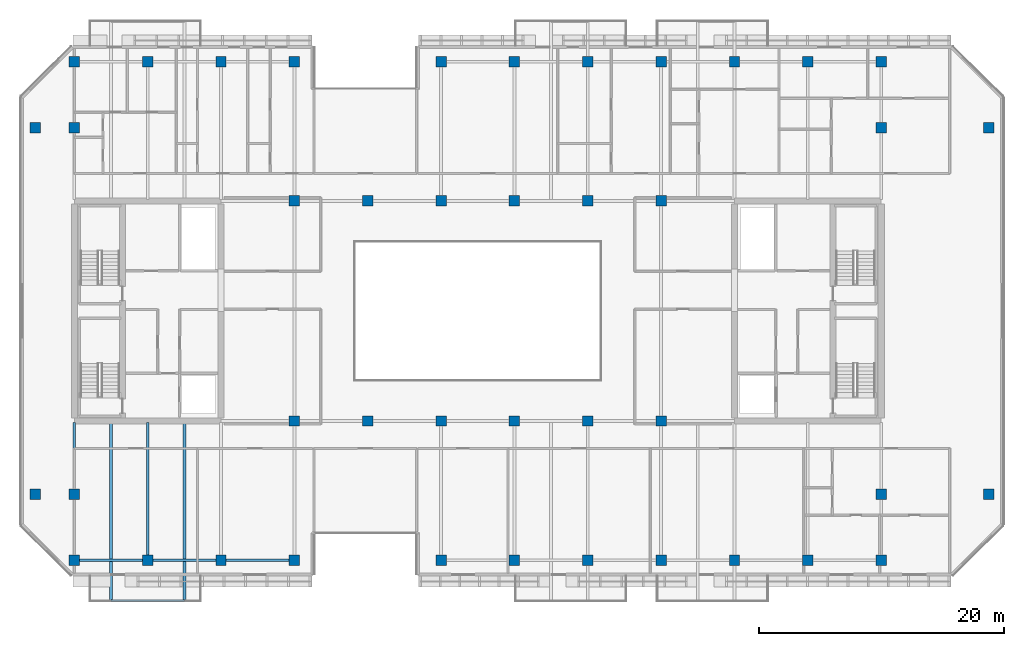
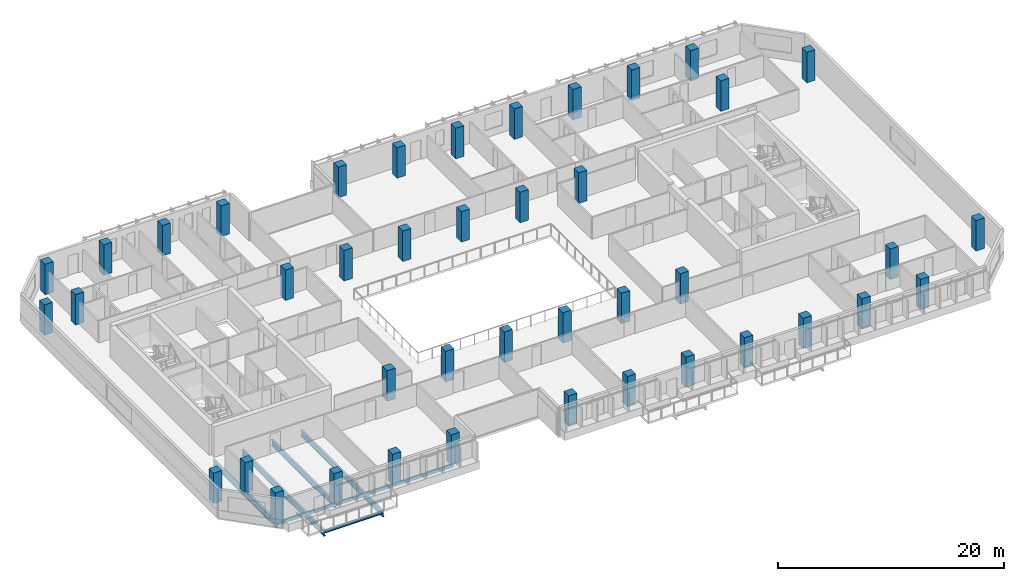
# One storey, part 1 of 19: 42 columns, 8 beams.
"""IFC4 building model written with IfcOpenShell, lengths in metres."""

from ifc_helpers import new_model, si_unit, direction, frame, origin, origin_2d, place, context, subcontext, project, spatial, rectangle, hollow_rectangle, i_section, extrude, material, material_profile, profile_set, type_object, element, save


model = new_model("IFC4")

# Units and contexts
model_context = context("Model", 3, precision=1e-05, world=origin(), true_north=direction((0.0, 1.0)))
body_context = subcontext(model_context, "Body", "Model", "MODEL_VIEW")
ifc_project = project(units=[si_unit("LENGTHUNIT", "METRE"), si_unit("AREAUNIT", "SQUARE_METRE"), si_unit("VOLUMEUNIT", "CUBIC_METRE"), si_unit("PLANEANGLEUNIT", "RADIAN"), si_unit("MASSUNIT", "GRAM", prefix="KILO")], contexts=[model_context])

# Site, building, storey
site_placement = place(None, origin())
site = spatial("IfcSite", under=ifc_project, at=site_placement, CompositionType="ELEMENT")
building_placement = place(site_placement, origin())
building = spatial("IfcBuilding", under=site, at=building_placement, Name="Tanjung Sevakor Pilgrim Tower", CompositionType="ELEMENT")
storey_placement = place(building_placement, frame((0.0, 0.0, 155.10009765625)))
storey = spatial("IfcBuildingStorey", under=building, at=storey_placement, Name="L43", CompositionType="ELEMENT", Elevation=155.10009765625)

# Columns
ifc_material_1 = material(Name="Concrete C60/75", Category="concrete")
ifc_material_profile_1 = material_profile(ifc_material_1, rectangle(XDim=0.85009765625, YDim=0.85009765625, at=origin_2d()))
ifc_profile_set_1 = profile_set([ifc_material_profile_1], Name="Concrete C60/75")
column_type = type_object("IfcColumnType", Name="COL-C-T850-RC_850x850", PredefinedType="COLUMN", material=ifc_profile_set_1)
for number, where, z_axis, x_axis, name in (
    (1, (42.0, 24.60009765625, 0.0), (0.0, 0.0, 1.0), (1.0, 0.0, 0.0), "L43 Column SPW-042-246"),
    (2, (42.0, 42.60009765625, 0.0), (0.0, 0.0, 1.0), (1.0, 0.0, 0.0), "L43 Column SPW-042-426"),
    (3, (48.0, 24.60009765625, 0.0), (0.0, 0.0, 1.0), (1.0, 0.0, 0.0), "L43 Column SPW-048-246"),
    (4, (48.0, 42.60009765625, 0.0), (0.0, 0.0, 1.0), (1.0, 0.0, 0.0), "L43 Column SPW-048-426"),
    (5, (54.0, 24.60009765625, 0.0), (0.0, 0.0, 1.0), (1.0, 0.0, 0.0), "L43 Column SPE-054-246"),
    (6, (54.0, 42.60009765625, 0.0), (0.0, 0.0, 1.0), (1.0, 0.0, 0.0), "L43 Column SPE-054-426"),
    (7, (60.0, 24.60009765625, 0.0), (0.0, 0.0, 1.0), (1.0, 0.0, 0.0), "L43 Column SPE-060-246"),
    (8, (60.0, 42.60009765625, 0.0), (0.0, 0.0, 1.0), (1.0, 0.0, 0.0), "L43 Column SPE-060-426"),
    (9, (66.0, 24.60009765625, 0.0), (0.0, 0.0, 1.0), (1.0, 0.0, 0.0), "L43 Column SPE-066-246"),
    (10, (66.0, 42.60009765625, 0.0), (0.0, 0.0, 1.0), (1.0, 0.0, 0.0), "L43 Column SPE-066-426"),
    (11, (72.0, 24.60009765625, 0.0), (0.0, 0.0, 1.0), (1.0, 0.0, 0.0), "L43 Column SPE-072-246"),
    (12, (72.0, 42.60009765625, 0.0), (0.0, 0.0, 1.0), (1.0, 0.0, 0.0), "L43 Column SPE-072-426"),
    (13, (20.800048828125, 18.60009765625, 0.0), (0.0, 0.0, 1.0), (1.0, 0.0, 0.0), "L43 Column TCE-0208-186"),
    (14, (20.800048828125, 48.60009765625, 0.0), (0.0, 0.0, 1.0), (1.0, 0.0, 0.0), "L43 Column TCE-0208-486"),
    (15, (24.0, 18.60009765625, 0.0), (0.0, 0.0, 1.0), (1.0, 0.0, 0.0), "L43 Column TCE-0240-186"),
    (16, (24.0, 48.60009765625, 0.0), (0.0, 0.0, 1.0), (1.0, 0.0, 0.0), "L43 Column TCE-0240-486"),
    (17, (90.0, 18.60009765625, 0.0), (0.0, 0.0, 1.0), (1.0, 0.0, 0.0), "L43 Column TCE-0900-186"),
    (18, (90.0, 48.60009765625, 0.0), (0.0, 0.0, 1.0), (1.0, 0.0, 0.0), "L43 Column TCE-0900-486"),
    (19, (98.800048828125, 18.60009765625, 0.0), (0.0, 0.0, 1.0), (1.0, 0.0, 0.0), "L43 Column TCE-0988-186"),
    (20, (98.800048828125, 48.60009765625, 0.0), (0.0, 0.0, 1.0), (1.0, 0.0, 0.0), "L43 Column TCE-0988-486"),
    (21, (24.0, 13.199951171875, 0.0), (0.0, 0.0, 1.0), (1.0, 0.0, 0.0), "L43 Column TC3-024-132"),
    (22, (24.0, 54.0, 0.0), (0.0, 0.0, 1.0), (1.0, 0.0, 0.0), "L43 Column TC3-024-540"),
    (23, (30.0, 13.199951171875, 0.0), (0.0, 0.0, 1.0), (1.0, 0.0, 0.0), "L43 Column TC3-030-132"),
    (24, (30.0, 54.0, 0.0), (0.0, 0.0, 1.0), (1.0, 0.0, 0.0), "L43 Column TC3-030-540"),
    (25, (36.0, 13.199951171875, 0.0), (0.0, 0.0, 1.0), (1.0, 0.0, 0.0), "L43 Column TC3-036-132"),
    (26, (36.0, 54.0, 0.0), (0.0, 0.0, 1.0), (1.0, 0.0, 0.0), "L43 Column TC3-036-540"),
    (27, (42.0, 13.199951171875, 0.0), (0.0, 0.0, 1.0), (1.0, 0.0, 0.0), "L43 Column TC3-042-132"),
    (28, (42.0, 54.0, 0.0), (0.0, 0.0, 1.0), (1.0, 0.0, 0.0), "L43 Column TC3-042-540"),
    (29, (54.0, 13.199951171875, 0.0), (0.0, 0.0, 1.0), (1.0, 0.0, 0.0), "L43 Column TC3-054-132"),
    (30, (54.0, 54.0, 0.0), (0.0, 0.0, 1.0), (1.0, 0.0, 0.0), "L43 Column TC3-054-540"),
    (31, (60.0, 13.199951171875, 0.0), (0.0, 0.0, 1.0), (1.0, 0.0, 0.0), "L43 Column TC3-060-132"),
    (32, (60.0, 54.0, 0.0), (0.0, 0.0, 1.0), (1.0, 0.0, 0.0), "L43 Column TC3-060-540"),
    (33, (66.0, 13.199951171875, 0.0), (0.0, 0.0, 1.0), (1.0, 0.0, 0.0), "L43 Column TC3-066-132"),
    (34, (66.0, 54.0, 0.0), (0.0, 0.0, 1.0), (1.0, 0.0, 0.0), "L43 Column TC3-066-540"),
    (35, (72.0, 13.199951171875, 0.0), (0.0, 0.0, 1.0), (1.0, 0.0, 0.0), "L43 Column TC3-072-132"),
    (36, (72.0, 54.0, 0.0), (0.0, 0.0, 1.0), (1.0, 0.0, 0.0), "L43 Column TC3-072-540"),
    (37, (78.0, 13.199951171875, 0.0), (0.0, 0.0, 1.0), (1.0, 0.0, 0.0), "L43 Column TC3-078-132"),
    (38, (78.0, 54.0, 0.0), (0.0, 0.0, 1.0), (1.0, 0.0, 0.0), "L43 Column TC3-078-540"),
    (39, (84.0, 13.199951171875, 0.0), (0.0, 0.0, 1.0), (1.0, 0.0, 0.0), "L43 Column TC3-084-132"),
    (40, (84.0, 54.0, 0.0), (0.0, 0.0, 1.0), (1.0, 0.0, 0.0), "L43 Column TC3-084-540"),
    (41, (90.0, 13.199951171875, 0.0), (0.0, 0.0, 1.0), (1.0, 0.0, 0.0), "L43 Column TC3-090-132"),
    (42, (90.0, 54.0, 0.0), (0.0, 0.0, 1.0), (1.0, 0.0, 0.0), "L43 Column TC3-090-540"),
):
    element("IfcColumn", number, at=place(storey_placement, frame(where, z_axis=z_axis, x_axis=x_axis)), inside=storey, type_object=column_type, Name=name, PredefinedType="COLUMN", context=body_context, shape_type="SweptSolid", body=[
        extrude(rectangle(XDim=0.85009765625, YDim=0.85009765625, at=origin_2d()), origin(), (0.0, 0.0, 1.0), 3.2998046875),
    ])

# Beams
ifc_material_2 = material(Name="Steel S355J2", Category="steel")
ifc_material_profile_2 = material_profile(ifc_material_2, i_section(OverallWidth=0.22900390625, OverallDepth=0.6123046875, WebThickness=0.011962890625, FlangeThickness=0.01953125, FilletRadius=0.0126953125, at=origin_2d()))
ifc_profile_set_2 = profile_set([ifc_material_profile_2], Name="Steel S355J2")
beam_type_1 = type_object("IfcBeamType", Name="BM-B-G4-UB_610x229x125", PredefinedType="BEAM", material=ifc_profile_set_2)
beam_1_placement = place(storey_placement, frame((24.0, 13.199951171875, -0.526123046875), z_axis=(0.0, 1.0, 0.0), x_axis=(-1.0, 0.0, 0.0)))
element("IfcBeam", 43, at=beam_1_placement, inside=storey, type_object=beam_type_1, Name="L43 MAIN Girder 001", PredefinedType="BEAM", context=body_context, shape_type="SweptSolid", body=[
    extrude(i_section(OverallWidth=0.22900390625, OverallDepth=0.6123046875, WebThickness=0.011962890625, FlangeThickness=0.01953125, FilletRadius=0.0126953125, at=origin_2d()), origin(), (0.0, 0.0, 1.0), 11.284912109375),
])
beam_2_placement = place(storey_placement, frame((27.0, 24.48486328125, -0.526123046875), z_axis=(0.0, -1.0, 0.0), x_axis=(1.0, 0.0, 0.0)))
element("IfcBeam", 44, at=beam_2_placement, inside=storey, type_object=beam_type_1, Name="L43 Balcony Cantilever Beam MAIN-S1-1", PredefinedType="BEAM", context=body_context, shape_type="SweptSolid", body=[
    extrude(i_section(OverallWidth=0.22900390625, OverallDepth=0.6123046875, WebThickness=0.011962890625, FlangeThickness=0.01953125, FilletRadius=0.0126953125, at=origin_2d()), origin(), (0.0, 0.0, 1.0), 14.56494140625),
])
beam_3_placement = place(storey_placement, frame((30.0, 13.199951171875, -0.526123046875), z_axis=(0.0, 1.0, 0.0), x_axis=(-1.0, 0.0, 0.0)))
element("IfcBeam", 45, at=beam_3_placement, inside=storey, type_object=beam_type_1, Name="L43 MAIN Girder 003", PredefinedType="BEAM", context=body_context, shape_type="SweptSolid", body=[
    extrude(i_section(OverallWidth=0.22900390625, OverallDepth=0.6123046875, WebThickness=0.011962890625, FlangeThickness=0.01953125, FilletRadius=0.0126953125, at=origin_2d()), origin(), (0.0, 0.0, 1.0), 11.284912109375),
])
beam_4_placement = place(storey_placement, frame((33.0, 24.48486328125, -0.526123046875), z_axis=(0.0, -1.0, 0.0), x_axis=(1.0, 0.0, 0.0)))
element("IfcBeam", 46, at=beam_4_placement, inside=storey, type_object=beam_type_1, Name="L43 Balcony Cantilever Beam MAIN-S1-2", PredefinedType="BEAM", context=body_context, shape_type="SweptSolid", body=[
    extrude(i_section(OverallWidth=0.22900390625, OverallDepth=0.6123046875, WebThickness=0.011962890625, FlangeThickness=0.01953125, FilletRadius=0.0126953125, at=origin_2d()), origin(), (0.0, 0.0, 1.0), 14.56494140625),
])
ifc_material_3 = material(Name="Steel S355J2", Category="steel")
ifc_material_profile_3 = material_profile(ifc_material_3, i_section(OverallWidth=0.146484375, OverallDepth=0.256103515625, WebThickness=0.00634765625, FlangeThickness=0.010986328125, FilletRadius=0.007568359375, at=origin_2d()))
ifc_profile_set_3 = profile_set([ifc_material_profile_3], Name="Steel S355J2")
beam_type_2 = type_object("IfcBeamType", Name="BM-B-J6-UB_254x146x37", PredefinedType="JOIST", material=ifc_profile_set_3)
beam_5_placement = place(storey_placement, frame((27.0, 9.919921875, -0.328125), z_axis=(1.0, 0.0, 0.0), x_axis=(0.0, 1.0, 0.0)))
element("IfcBeam", 47, at=beam_5_placement, inside=storey, type_object=beam_type_2, Name="L43 Balcony Rim Tie MAIN-S1", PredefinedType="JOIST", context=body_context, shape_type="SweptSolid", body=[
    extrude(i_section(OverallWidth=0.146484375, OverallDepth=0.256103515625, WebThickness=0.00634765625, FlangeThickness=0.010986328125, FilletRadius=0.007568359375, at=origin_2d()), origin(), (0.0, 0.0, 1.0), 6.0),
])
ifc_material_4 = material(Name="Steel S355J2", Category="steel")
ifc_material_profile_4 = material_profile(ifc_material_4, hollow_rectangle(XDim=0.199951171875, YDim=0.300048828125, WallThickness=0.012451171875, at=origin_2d()))
ifc_profile_set_4 = profile_set([ifc_material_profile_4], Name="Steel S355J2")
beam_type_3 = type_object("IfcBeamType", Name="BM-B-SP3-RHS_300x200x12.5", PredefinedType="SPANDREL", material=ifc_profile_set_4)
for number, where, z_axis, x_axis, name in (
    (48, (24.0, 13.199951171875, -0.3701171875), (1.0, 0.0, 0.0), (0.0, 1.0, 0.0), "L43 Spandrel MAIN S-01"),
    (49, (30.0, 13.199951171875, -0.3701171875), (1.0, 0.0, 0.0), (0.0, 1.0, 0.0), "L43 Spandrel MAIN S-03"),
    (50, (36.0, 13.199951171875, -0.3701171875), (1.0, 0.0, 0.0), (0.0, 1.0, 0.0), "L43 Spandrel MAIN S-05"),
):
    element("IfcBeam", number, at=place(storey_placement, frame(where, z_axis=z_axis, x_axis=x_axis)), inside=storey, type_object=beam_type_3, Name=name, PredefinedType="SPANDREL", context=body_context, shape_type="SweptSolid", body=[
        extrude(hollow_rectangle(XDim=0.199951171875, YDim=0.300048828125, WallThickness=0.012451171875, at=origin_2d()), origin(), (0.0, 0.0, 1.0), 6.0),
    ])

save(model, "model.ifc")
